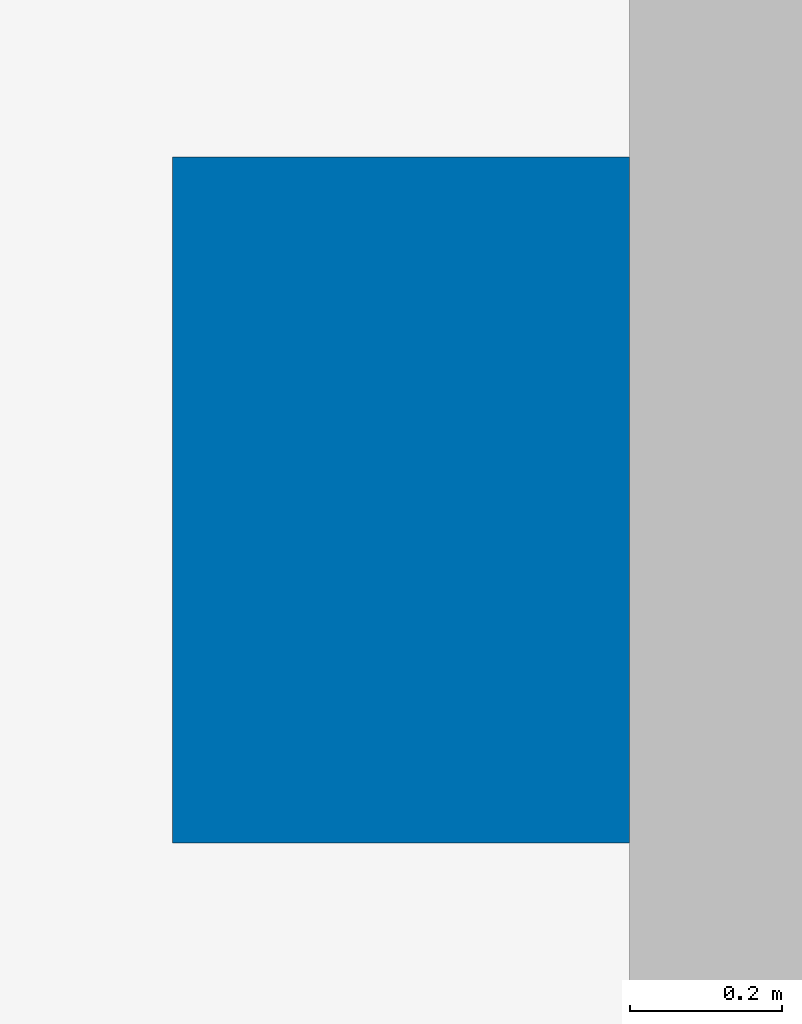
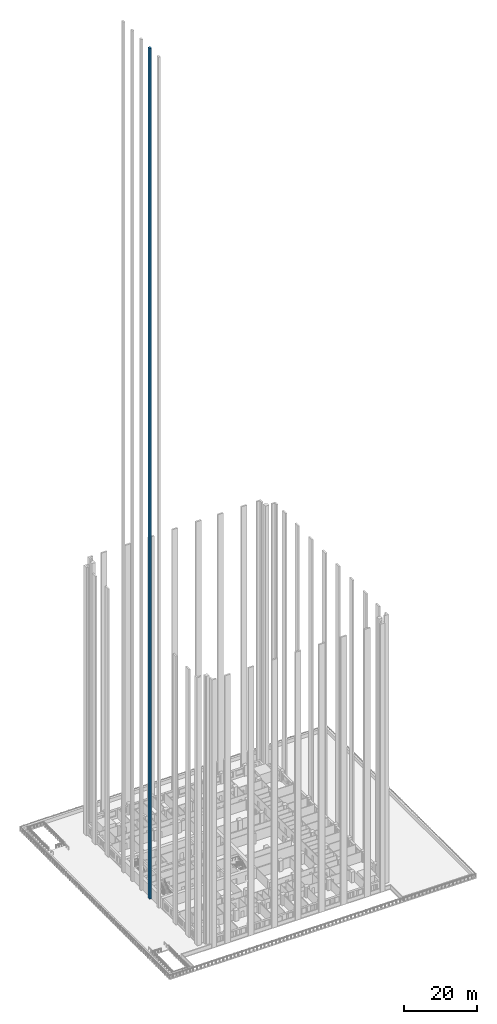
# One storey, part 9 of 27: 1 wall.
"""IFC4 building model written with IfcOpenShell, lengths in metres."""

from ifc_helpers import new_model, si_unit, direction, frame, frame_2d, origin, place, context, subcontext, project, spatial, rectangle, extrude, material, layer, layer_set, type_object, element, save


model = new_model("IFC4")

# Units and contexts
model_context = context("Model", 3, precision=1e-05, world=origin(), true_north=direction((0.0, 1.0)))
body_context = subcontext(model_context, "Body", "Model", "MODEL_VIEW")
ifc_project = project(units=[si_unit("LENGTHUNIT", "METRE"), si_unit("AREAUNIT", "SQUARE_METRE"), si_unit("VOLUMEUNIT", "CUBIC_METRE"), si_unit("PLANEANGLEUNIT", "RADIAN"), si_unit("MASSUNIT", "GRAM", prefix="KILO")], contexts=[model_context])

# Site, building, storey
site_placement = place(None, origin())
site = spatial("IfcSite", under=ifc_project, at=site_placement, CompositionType="ELEMENT")
building_placement = place(site_placement, origin())
building = spatial("IfcBuilding", under=site, at=building_placement, Name="Tamorin Gate", CompositionType="ELEMENT")
storey_placement = place(building_placement, frame((0.0, 0.0, 34.0)))
storey = spatial("IfcBuildingStorey", under=building, at=storey_placement, Name="L06", CompositionType="ELEMENT", Elevation=34.0)

# Wall
ifc_material = material(Name="Precast concrete C40/50", Category="concrete")
ifc_layer = layer(ifc_material, 0.60009765625)
ifc_layer_set = layer_set([ifc_layer], Name="Spine rib 900x600")
wall_type = type_object("IfcWallType", Name="Spine rib 900x600", PredefinedType="SOLIDWALL", material=ifc_layer_set)
wall_placement = place(storey_placement, frame((29.699951171875, 65.925048828125, 0.0), z_axis=(0.0, 0.0, 1.0), x_axis=(0.0, 1.0, 0.0)))
element("IfcWall", 1, at=wall_placement, inside=storey, type_object=wall_type, Name="Spine rib", PredefinedType="SOLIDWALL", context=body_context, shape_type="SweptSolid", body=[
    extrude(rectangle(XDim=0.89990234375, YDim=0.60009765625, at=frame_2d((0.449951171875, 0.0))), origin(), (0.0, 0.0, 1.0), 286.199951171875),
])

save(model, "model.ifc")
